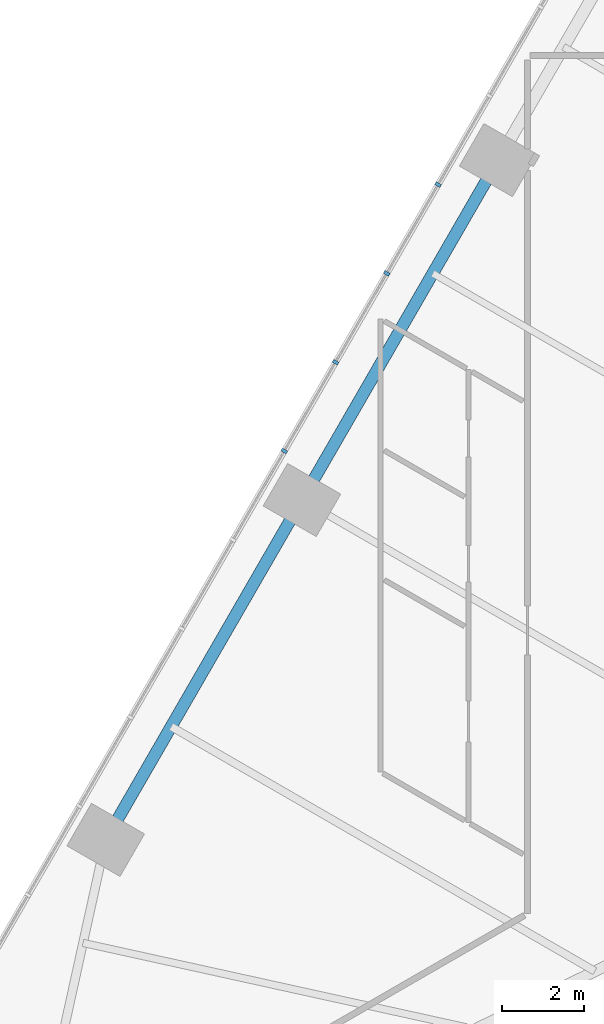
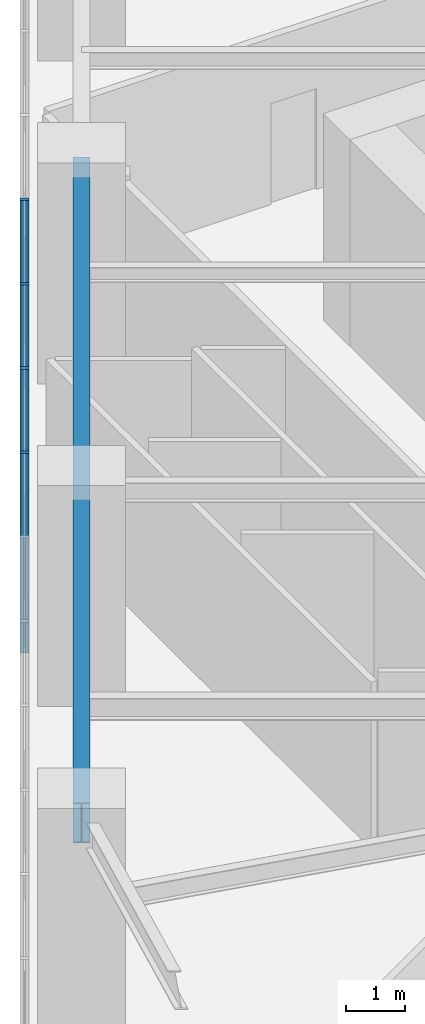
# One storey, part 4 of 29: 4 members, 1 beam, 1 element without a shape of its own.
"""IFC4 building model written with IfcOpenShell, lengths in metres."""

import ifcopenshell
import ifcopenshell.guid

model = None  # the IFC model being written
_history = None  # IfcOwnerHistory: only IFC2X3 demands one
_inside = {}  # id of a spatial element -> (the spatial element, [elements in it])
_under = {}  # id of a project, library or spatial element -> (it, [spatial elements below it])
_declared = {}  # id of a project -> (the project, [libraries it declares])
_typed = {}  # id of a type object -> (the type object, [elements of that type])
_made_of = {}  # id of a material, layer set ... -> (it, [elements and type objects made of it])


def new_model(schema):
    """Start an empty IFC model of exactly this schema.

    Asked for "IFC4X3", IfcOpenShell would pick the latest addendum, in which some entities
    have other attributes; the version numbers below select the first issue.
    IFC2X3 requires an IfcOwnerHistory on every rooted entity: one is made here for all.
    """
    global model, _history
    if schema == "IFC4X3":
        model = ifcopenshell.file(schema_version=(4, 3, 0, 0))
    else:
        model = ifcopenshell.file(schema=schema)
    _inside.clear()
    _under.clear()
    _declared.clear()
    _typed.clear()
    _made_of.clear()
    _history = None
    if model.schema == "IFC2X3":
        org = make("IfcOrganization", Name="unknown")
        user = make(
            "IfcPersonAndOrganization",
            ThePerson=make("IfcPerson", FamilyName="unknown"),
            TheOrganization=org,
        )
        app = make(
            "IfcApplication",
            ApplicationDeveloper=org,
            Version="unknown",
            ApplicationFullName="unknown",
            ApplicationIdentifier="unknown",
        )
        _history = make(
            "IfcOwnerHistory",
            OwningUser=user,
            OwningApplication=app,
            ChangeAction="ADDED",
            CreationDate=0,
        )
    return model


def make(cls, **values):
    """One entity of the class cls with the attributes given. An attribute that is None is left unset."""
    return model.create_entity(
        cls, **{name: value for name, value in values.items() if value is not None}
    )


def rooted(cls, **values):
    """An entity with a GlobalId (a new one), such as an element, a storey or a relation."""
    return make(cls, GlobalId=ifcopenshell.guid.new(), OwnerHistory=_history, **values)


def si_unit(unit_type, name, prefix=None):
    """IfcSIUnit, for example si_unit("LENGTHUNIT", "METRE", prefix="MILLI")."""
    return make("IfcSIUnit", UnitType=unit_type, Prefix=prefix, Name=name)


def assignment(units):
    """IfcUnitAssignment: the units of a project."""
    return None if units is None else make("IfcUnitAssignment", Units=units)


def point(xyz):
    """IfcCartesianPoint."""
    return None if xyz is None else make("IfcCartesianPoint", Coordinates=xyz)


def direction(xyz):
    """IfcDirection."""
    return None if xyz is None else make("IfcDirection", DirectionRatios=xyz)


def frame(location, z_axis=None, x_axis=None):
    """IfcAxis2Placement3D, a coordinate frame: its origin and axes. An axis left out is left unset."""
    return make(
        "IfcAxis2Placement3D",
        Location=point(location),
        Axis=direction(z_axis),
        RefDirection=direction(x_axis),
    )


def frame_2d(location, x_axis=None):
    """IfcAxis2Placement2D, a coordinate frame in the plane: its origin and x axis."""
    return make(
        "IfcAxis2Placement2D", Location=point(location), RefDirection=direction(x_axis)
    )


def origin():
    """The frame at (0, 0, 0) with its axes left unset."""
    return frame((0.0, 0.0, 0.0))


def origin_2d():
    """The frame at (0, 0) in the plane with its x axis left unset."""
    return frame_2d((0.0, 0.0))


def place(relative_to, where):
    """IfcLocalPlacement: puts the frame where relative to a parent placement (None: the world)."""
    return make(
        "IfcLocalPlacement", PlacementRelTo=relative_to, RelativePlacement=where
    )


def context(
    kind, dimensions, precision=None, world=None, true_north=None, identifier=None
):
    """IfcGeometricRepresentationContext, for example the 3D "Model" context."""
    return make(
        "IfcGeometricRepresentationContext",
        ContextIdentifier=identifier,
        ContextType=kind,
        CoordinateSpaceDimension=dimensions,
        Precision=precision,
        WorldCoordinateSystem=world,
        TrueNorth=true_north,
    )


def subcontext(parent, identifier, kind, view, scale=None):
    """IfcGeometricRepresentationSubContext, for example "Body" below "Model"."""
    return make(
        "IfcGeometricRepresentationSubContext",
        ContextIdentifier=identifier,
        ContextType=kind,
        ParentContext=parent,
        TargetScale=scale,
        TargetView=view,
    )


def project(units=None, contexts=None):
    """IfcProject with its units and contexts."""
    return rooted(
        "IfcProject",
        Name="project",
        RepresentationContexts=contexts,
        UnitsInContext=assignment(units),
    )


def spatial(cls, under=None, at=None, **own):
    """A site, building, storey or space (cls), placed at a placement, below another one or the project."""
    s = rooted(cls, ObjectPlacement=at, **own)
    if under is not None:
        _under.setdefault(under.id(), (under, []))[1].append(s)
    return s


def profile(cls, at=None, kind="AREA", **sizes):
    """A parametric profile (cls). Its sizes go by their IFC names, for example OverallWidth=200.0."""
    return make(cls, ProfileType=kind, Position=at, **sizes)


def rectangle(**sizes):
    """IfcRectangleProfileDef."""
    return profile("IfcRectangleProfileDef", **sizes)


def i_section(**sizes):
    """IfcIShapeProfileDef."""
    return profile("IfcIShapeProfileDef", **sizes)


def extrude(swept, where, along, depth):
    """IfcExtrudedAreaSolid: the profile swept, set in the frame where, extruded along a direction by depth."""
    return make(
        "IfcExtrudedAreaSolid",
        SweptArea=swept,
        Position=where,
        ExtrudedDirection=direction(along),
        Depth=depth,
    )


def shape(context_of_items, identifier, shape_type, items):
    """IfcShapeRepresentation: the items that make up one representation, for example the "Body"."""
    return make(
        "IfcShapeRepresentation",
        ContextOfItems=context_of_items,
        RepresentationIdentifier=identifier,
        RepresentationType=shape_type,
        Items=items,
    )


def material(Name=None, Category=None):
    """IfcMaterial."""
    return make("IfcMaterial", Name=Name, Category=Category)


def layer(
    of_material, thickness, ventilated=None, Name=None, Category=None, Priority=None
):
    """IfcMaterialLayer: one layer of a wall or slab, of a material (None: an air gap)."""
    return make(
        "IfcMaterialLayer",
        Material=of_material,
        LayerThickness=thickness,
        IsVentilated=ventilated,
        Name=Name,
        Category=Category,
        Priority=Priority,
    )


def layer_set(layers, Name=None):
    """IfcMaterialLayerSet."""
    return make("IfcMaterialLayerSet", MaterialLayers=layers, LayerSetName=Name)


def material_profile(
    of_material, cross_section, Name=None, Category=None, Priority=None
):
    """IfcMaterialProfile: a cross section and its material."""
    return make(
        "IfcMaterialProfile",
        Name=Name,
        Material=of_material,
        Profile=cross_section,
        Priority=Priority,
        Category=Category,
    )


def profile_set(profiles, Name=None, composite=None):
    """IfcMaterialProfileSet."""
    return make(
        "IfcMaterialProfileSet",
        Name=Name,
        MaterialProfiles=profiles,
        CompositeProfile=composite,
    )


def made_of(thing, what):
    """Note that an element or type object is made of a material, layer set ...; save() writes the relation."""
    if what is not None:
        _made_of.setdefault(what.id(), (what, []))[1].append(thing)
    return thing


def type_object(cls, material=None, **own):
    """A type object (cls), such as IfcWallType, which elements share."""
    return made_of(rooted(cls, **own), material)


def element(
    cls,
    number,
    at=None,
    inside=None,
    cuts=None,
    type_object=None,
    material=None,
    context=None,
    identifier="Body",
    shape_type=None,
    held_by="IfcProductDefinitionShape",
    body=None,
    shapes=None,
    **own,
):
    """One element of the class cls, such as IfcWall. Its Tag is "e" and its number.

    at: its placement. inside: the storey or other place that contains it. cuts: it is an
    opening in that element (IfcRelVoidsElement). A single representation is given by context,
    identifier, shape_type and body (its items); several are given by shapes. held_by: the class
    of the entity that holds the representations. save() writes the other relations.
    """
    e = rooted(cls, Tag="e%d" % number, ObjectPlacement=at, **own)
    if body is not None:
        shapes = [shape(context, identifier, shape_type, body)]
    if shapes is not None:
        e.Representation = make(held_by, Representations=shapes)
    if inside is not None:
        _inside.setdefault(inside.id(), (inside, []))[1].append(e)
    if cuts is not None:
        rooted(
            "IfcRelVoidsElement", RelatingBuildingElement=cuts, RelatedOpeningElement=e
        )
    if type_object is not None:
        _typed.setdefault(type_object.id(), (type_object, []))[1].append(e)
    return made_of(e, material)


def aggregate(whole, parts):
    """IfcRelAggregates: a whole, such as a stair, and the parts it consists of."""
    return rooted("IfcRelAggregates", RelatingObject=whole, RelatedObjects=parts)


def save(model, path):
    """Write the relations noted so far, then the file.

    IfcRelAggregates (storeys below a building ...), IfcRelContainedInSpatialStructure (elements
    in a storey), IfcRelDefinesByType, IfcRelAssociatesMaterial and IfcRelDeclares: one each for
    every whole, place, type object, material and project.
    """
    for whole, parts in _under.values():
        aggregate(whole, parts)
    for where, things in _inside.values():
        rooted(
            "IfcRelContainedInSpatialStructure",
            RelatedElements=things,
            RelatingStructure=where,
        )
    for kind, things in _typed.values():
        rooted("IfcRelDefinesByType", RelatedObjects=things, RelatingType=kind)
    for what, things in _made_of.values():
        rooted("IfcRelAssociatesMaterial", RelatedObjects=things, RelatingMaterial=what)
    for by, libraries in _declared.values():
        rooted("IfcRelDeclares", RelatingContext=by, RelatedDefinitions=libraries)
    model.write(path)


model = new_model("IFC4")

# Units and contexts
model_context = context("Model", 3, precision=1e-05, world=origin(), true_north=direction((0.0, 1.0)))
body_context = subcontext(model_context, "Body", "Model", "MODEL_VIEW")
ifc_project = project(units=[si_unit("LENGTHUNIT", "METRE"), si_unit("AREAUNIT", "SQUARE_METRE"), si_unit("VOLUMEUNIT", "CUBIC_METRE"), si_unit("PLANEANGLEUNIT", "RADIAN"), si_unit("MASSUNIT", "GRAM", prefix="KILO")], contexts=[model_context])

# Site, building, storey
site_placement = place(None, origin())
site = spatial("IfcSite", under=ifc_project, at=site_placement, CompositionType="ELEMENT")
building_placement = place(site_placement, origin())
building = spatial("IfcBuilding", under=site, at=building_placement, Name="Firuza Gate Tower and Library", CompositionType="ELEMENT")
storey_placement = place(building_placement, frame((0.0, 0.0, 17.199951171875)))
storey = spatial("IfcBuildingStorey", under=building, at=storey_placement, Name="L03", CompositionType="ELEMENT", Elevation=17.199951171875)

# Curtain wall, members
ifc_material_1 = material(Name="Aluminium 6063-T6", Category="aluminium")
ifc_layer = layer(ifc_material_1, 0.14990234375)
ifc_layer_set = layer_set([ifc_layer], Name="Stick curtain wall, podium")
curtain_wall_type = type_object("IfcCurtainWallType", Name="Stick curtain wall, podium", PredefinedType="NOTDEFINED", material=ifc_layer_set)
curtain_wall_placement = place(storey_placement, origin())
curtain_wall = element("IfcCurtainWall", 1, at=curtain_wall_placement, inside=storey, type_object=curtain_wall_type, Name="CW5 L03 W", PredefinedType="NOTDEFINED")
ifc_material_2 = material(Name="Aluminium 6063-T6", Category="aluminium")
ifc_material_profile_1 = material_profile(ifc_material_2, rectangle(XDim=0.14990234375, YDim=0.080078125, at=origin_2d()))
ifc_profile_set_1 = profile_set([ifc_material_profile_1], Name="Aluminium 6063-T6")
member_type = type_object("IfcMemberType", Name="Curtain wall mullion 80x150", PredefinedType="MULLION", material=ifc_profile_set_1)
member_1_placement = place(storey_placement, frame((56.30810546875, 84.34375, 0.150146484375), z_axis=(0.0, 0.0, 1.0), x_axis=(0.866025403784, -0.5, 0.0)))
member_1 = element("IfcMember", 2, at=member_1_placement, type_object=member_type, Name="Mullion", PredefinedType="MULLION", context=body_context, shape_type="SweptSolid", body=[
    extrude(rectangle(XDim=0.14990234375, YDim=0.080078125, at=origin_2d()), origin(), (0.0, 0.0, 1.0), 4.14990234375),
])
member_2_placement = place(storey_placement, frame((55.053955078125, 82.171630859375, 0.150146484375), z_axis=(0.0, 0.0, 1.0), x_axis=(0.866025403784, -0.5, 0.0)))
member_2 = element("IfcMember", 3, at=member_2_placement, type_object=member_type, Name="Mullion", PredefinedType="MULLION", context=body_context, shape_type="SweptSolid", body=[
    extrude(rectangle(XDim=0.14990234375, YDim=0.080078125, at=origin_2d()), origin(), (0.0, 0.0, 1.0), 4.14990234375),
])
member_3_placement = place(storey_placement, frame((53.7998046875, 79.99951171875, 0.150146484375), z_axis=(0.0, 0.0, 1.0), x_axis=(0.866025403784, -0.5, 0.0)))
member_3 = element("IfcMember", 4, at=member_3_placement, type_object=member_type, Name="Mullion", PredefinedType="MULLION", context=body_context, shape_type="SweptSolid", body=[
    extrude(rectangle(XDim=0.14990234375, YDim=0.080078125, at=origin_2d()), origin(), (0.0, 0.0, 1.0), 4.14990234375),
])
member_4_placement = place(storey_placement, frame((52.5458984375, 77.827392578125, 0.150146484375), z_axis=(0.0, 0.0, 1.0), x_axis=(0.866025403784, -0.5, 0.0)))
member_4 = element("IfcMember", 5, at=member_4_placement, type_object=member_type, Name="Mullion", PredefinedType="MULLION", context=body_context, shape_type="SweptSolid", body=[
    extrude(rectangle(XDim=0.14990234375, YDim=0.080078125, at=origin_2d()), origin(), (0.0, 0.0, 1.0), 4.14990234375),
])
aggregate(curtain_wall, [member_1, member_2, member_3, member_4])

# Beam
ifc_material_3 = material(Name="Steel S355", Category="steel")
ifc_material_profile_2 = material_profile(ifc_material_3, i_section(OverallWidth=0.2919921875, OverallDepth=0.8349609375, WebThickness=0.013916015625, FlangeThickness=0.018798828125, at=origin_2d()))
ifc_profile_set_2 = profile_set([ifc_material_profile_2], Name="Steel S355")
beam_type = type_object("IfcBeamType", Name="W840x176 Edge beam", PredefinedType="SPANDREL", material=ifc_profile_set_2)
beam_placement = place(storey_placement, frame((57.779541015625, 84.9423828125, 3.882568359375), z_axis=(-0.500003864429, -0.866023172644, 0.0), x_axis=(0.866023172644, -0.500003864429, 0.0)))
element("IfcBeam", 6, at=beam_placement, inside=storey, type_object=beam_type, Name="Edge beam L03 e102", PredefinedType="SPANDREL", context=body_context, shape_type="SweptSolid", body=[
    extrude(i_section(OverallWidth=0.2919921875, OverallDepth=0.8349609375, WebThickness=0.013916015625, FlangeThickness=0.018798828125, at=origin_2d()), origin(), (0.0, 0.0, 1.0), 19.199951171875),
])

save(model, "model.ifc")
